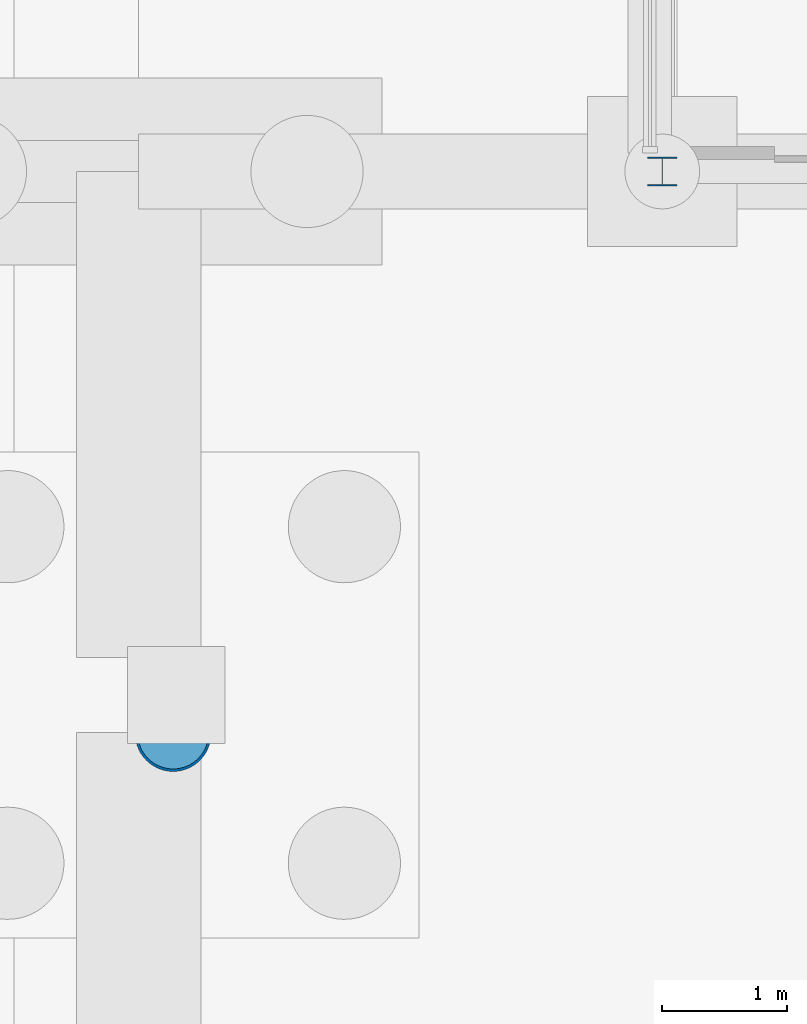
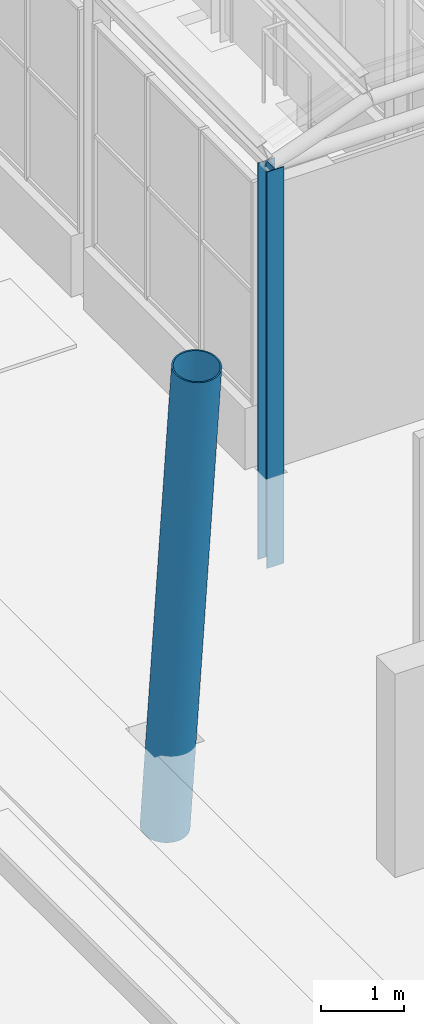
# One storey, part 18 of 222: 2 columns.
"""IFC4 building model written with IfcOpenShell, lengths in metres."""

from ifc_helpers import new_model, si_unit, direction, frame, origin, origin_2d, place, context, subcontext, project, spatial, hollow_circle, i_section, extrude, material, material_profile, profile_set, type_object, element, save


model = new_model("IFC4")

# Units and contexts
model_context = context("Model", 3, precision=1e-05, world=origin(), true_north=direction((0.0, 1.0)))
body_context = subcontext(model_context, "Body", "Model", "MODEL_VIEW")
ifc_project = project(units=[si_unit("LENGTHUNIT", "METRE"), si_unit("AREAUNIT", "SQUARE_METRE"), si_unit("VOLUMEUNIT", "CUBIC_METRE"), si_unit("PLANEANGLEUNIT", "RADIAN"), si_unit("MASSUNIT", "GRAM", prefix="KILO")], contexts=[model_context])

# Site, building, storey
site_placement = place(None, origin())
site = spatial("IfcSite", under=ifc_project, at=site_placement, CompositionType="ELEMENT")
building_placement = place(site_placement, origin())
building = spatial("IfcBuilding", under=site, at=building_placement, Name="Sava Quay Ferry Terminal", CompositionType="ELEMENT")
storey_placement = place(building_placement, origin())
storey = spatial("IfcBuildingStorey", under=building, at=storey_placement, Name="L00", CompositionType="ELEMENT", Elevation=0.0)

# Columns
ifc_material_1 = material(Name="Steel S355", Category="steel")
ifc_material_profile_1 = material_profile(ifc_material_1, i_section(OverallWidth=0.239990234375, OverallDepth=0.22998046875, WebThickness=0.007568359375, FlangeThickness=0.011962890625, at=origin_2d()), Name="HE 240 A")
ifc_profile_set_1 = profile_set([ifc_material_profile_1], Name="Steel S355")
column_type_1 = type_object("IfcColumnType", Name="Column HE 240 A", PredefinedType="COLUMN", material=ifc_profile_set_1)
column_1_placement = place(storey_placement, frame((46.199951171875, 109.199951171875, -1.35009765625), z_axis=(0.0, 0.0, 1.0), x_axis=(1.0, 0.0, 0.0)))
element("IfcColumn", 1, at=column_1_placement, inside=storey, type_object=column_type_1, Name="Gallery post B1 109.2", PredefinedType="COLUMN", context=body_context, shape_type="SweptSolid", body=[
    extrude(i_section(OverallWidth=0.239990234375, OverallDepth=0.22998046875, WebThickness=0.007568359375, FlangeThickness=0.011962890625, at=origin_2d()), origin(), (0.0, 0.0, 1.0), 5.85009765625),
])
ifc_material_2 = material(Name="Steel S355", Category="steel")
ifc_material_profile_2 = material_profile(ifc_material_2, hollow_circle(Radius=0.304931640625, WallThickness=0.02001953125, at=origin_2d()), Name="CHS 610 x 20.0")
ifc_profile_set_2 = profile_set([ifc_material_profile_2], Name="Steel S355")
column_type_2 = type_object("IfcColumnType", Name="V column CHS 610x20", PredefinedType="COLUMN", material=ifc_profile_set_2)
column_2_placement = place(storey_placement, frame((42.300048828125, 105.0, -1.35009765625), z_axis=(-0.009332487335, -0.119376693122, 0.992805172136), x_axis=(0.996958130281, -0.077938991953, 0.0)))
element("IfcColumn", 2, at=column_2_placement, inside=storey, type_object=column_type_2, Name="Departure hall V column D-VL6b part 1", PredefinedType="COLUMN", context=body_context, shape_type="SweptSolid", body=[
    extrude(hollow_circle(Radius=0.304931640625, WallThickness=0.02001953125, at=origin_2d()), origin(), (0.0, 0.0, 1.0), 7.4033203125),
])

save(model, "model.ifc")
